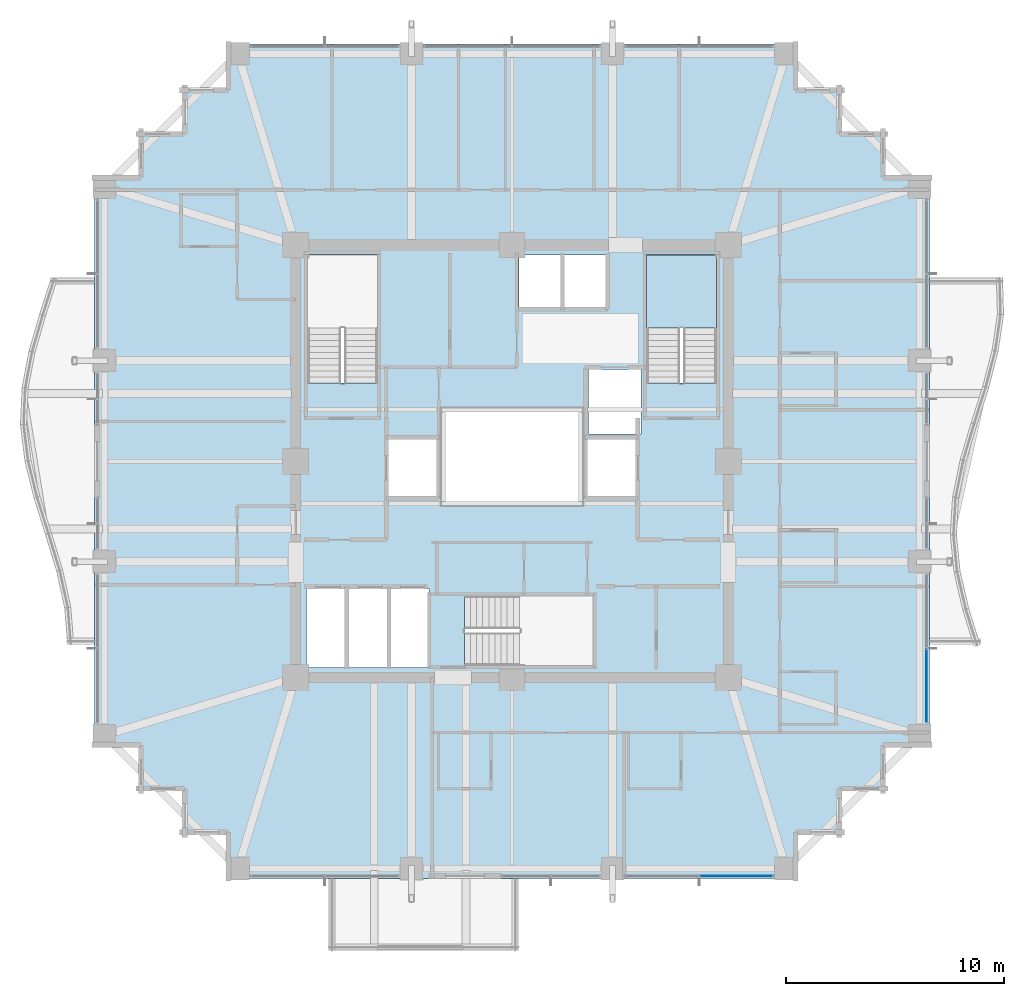
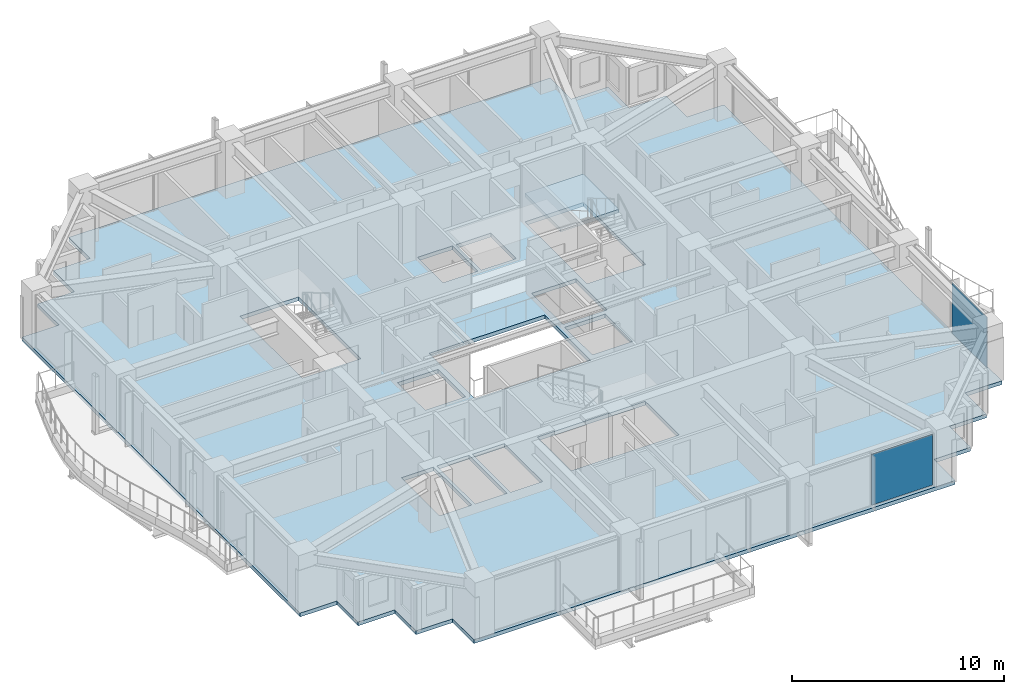
# One storey, part 28 of 38: 2 plates, 2 slabs, 3 elements without a shape of their own.
"""IFC4 building model written with IfcOpenShell, lengths in metres."""

from ifc_helpers import new_model, si_unit, direction, frame, origin, origin_2d, place, context, subcontext, project, spatial, polyline, rectangle, outline, extrude, material, layer, layer_set, type_object, element, aggregate, save


model = new_model("IFC4")

# Units and contexts
model_context = context("Model", 3, precision=1e-05, world=origin(), true_north=direction((0.0, 1.0)))
body_context = subcontext(model_context, "Body", "Model", "MODEL_VIEW")
ifc_project = project(units=[si_unit("LENGTHUNIT", "METRE"), si_unit("AREAUNIT", "SQUARE_METRE"), si_unit("VOLUMEUNIT", "CUBIC_METRE"), si_unit("PLANEANGLEUNIT", "RADIAN"), si_unit("MASSUNIT", "GRAM", prefix="KILO")], contexts=[model_context])

# Site, building, storey
site_placement = place(None, origin())
site = spatial("IfcSite", under=ifc_project, at=site_placement, CompositionType="ELEMENT")
building_placement = place(site_placement, origin())
building = spatial("IfcBuilding", under=site, at=building_placement, Name="Kolvaren Belvedere", CompositionType="ELEMENT")
storey_placement = place(building_placement, frame((0.0, 0.0, 121.699951171875)))
storey = spatial("IfcBuildingStorey", under=building, at=storey_placement, Name="L35", CompositionType="ELEMENT", Elevation=121.699951171875)

# Curtain wall, plate
ifc_material_1 = material(Name="Anodised pale-metal aluminium AA 6063-T6", Category="aluminium")
curtain_wall_type = type_object("IfcCurtainWallType", Name="CW-Z3-WAIST", PredefinedType="NOTDEFINED", material=ifc_material_1)
curtain_wall_1_placement = place(storey_placement, origin())
curtain_wall_1 = element("IfcCurtainWall", 1, at=curtain_wall_1_placement, inside=storey, type_object=curtain_wall_type, Name="L35 Unitised Curtain Wall FCW-L35-S1-B1", PredefinedType="NOTDEFINED")
ifc_material_2 = material(Name="Low-iron triple insulated glass", Category="glass")
ifc_layer_1 = layer(ifc_material_2, 0.028076171875)
ifc_layer_set_1 = layer_set([ifc_layer_1], Name="Low-iron triple insulated glass")
plate_type = type_object("IfcPlateType", Name="CW-PNL-VIS28", PredefinedType="CURTAIN_PANEL", material=ifc_layer_set_1)
plate_1_placement = place(storey_placement, frame((10.273681640625, -18.97998046875, 0.080078125), z_axis=(0.0, 0.0, 1.0), x_axis=(-1.0, 0.0, 0.0)))
plate_1 = element("IfcPlate", 2, at=plate_1_placement, type_object=plate_type, Name="FCW-L35-S1-B1 Vision Glazing Panel 1", PredefinedType="CURTAIN_PANEL", context=body_context, shape_type="SweptSolid", body=[
    extrude(rectangle(XDim=3.3173828125, YDim=0.028076171875, at=origin_2d()), origin(), (0.0, 0.0, 1.0), 2.919921875),
])
aggregate(curtain_wall_1, [plate_1])

curtain_wall_2_placement = place(storey_placement, origin())
curtain_wall_2 = element("IfcCurtainWall", 3, at=curtain_wall_2_placement, inside=storey, type_object=curtain_wall_type, Name="L35 Unitised Curtain Wall FCW-L35-E2-B2", PredefinedType="NOTDEFINED")
plate_2_placement = place(storey_placement, frame((18.97998046875, -10.273681640625, 0.080078125), z_axis=(0.0, 0.0, 1.0), x_axis=(0.0, -1.0, 0.0)))
plate_2 = element("IfcPlate", 4, at=plate_2_placement, type_object=plate_type, Name="FCW-L35-E2-B2 Vision Glazing Panel 2", PredefinedType="CURTAIN_PANEL", context=body_context, shape_type="SweptSolid", body=[
    extrude(rectangle(XDim=3.3173828125, YDim=0.028076171875, at=origin_2d()), origin(), (0.0, 0.0, 1.0), 2.919921875),
])
aggregate(curtain_wall_2, [plate_2])

# Slab
ifc_material_3 = material(Name="Concrete C50/60", Category="concrete")
ifc_layer_2 = layer(ifc_material_3, 0.219970703125)
ifc_layer_set_2 = layer_set([ifc_layer_2], Name="Concrete C50/60")
slab_type_1 = type_object("IfcSlabType", Name="SL-FLR-220", PredefinedType="FLOOR", material=ifc_layer_set_2)
slab_1_placement = place(storey_placement, frame((0.0, 0.0, -0.219970703125)))
element("IfcSlab", 5, at=slab_1_placement, inside=storey, type_object=slab_type_1, Name="L35 Primary Structural Slab", PredefinedType="FLOOR", context=body_context, shape_type="SweptSolid", body=[
    extrude(outline(polyline([(-13.10009765625, -19.10009765625), (13.10009765625, -19.10009765625), (13.10009765625, -17.10009765625), (15.10009765625, -17.10009765625), (15.10009765625, -15.10009765625), (17.10009765625, -15.10009765625), (17.10009765625, -13.10009765625), (19.10009765625, -13.10009765625), (19.10009765625, 13.10009765625), (17.10009765625, 13.10009765625), (17.10009765625, 15.10009765625), (15.10009765625, 15.10009765625), (15.10009765625, 17.10009765625), (13.10009765625, 17.10009765625), (13.10009765625, 19.10009765625), (-13.10009765625, 19.10009765625), (-13.10009765625, 17.10009765625), (-15.10009765625, 17.10009765625), (-15.10009765625, 15.10009765625), (-17.10009765625, 15.10009765625), (-17.10009765625, 13.10009765625), (-19.10009765625, 13.10009765625), (-19.10009765625, -13.10009765625), (-17.10009765625, -13.10009765625), (-17.10009765625, -15.10009765625), (-15.10009765625, -15.10009765625), (-15.10009765625, -17.10009765625), (-13.10009765625, -17.10009765625), (-13.10009765625, -19.10009765625)]), holes=[polyline([(-9.35009765625, 3.580078125), (-6.159912109375, 3.580078125), (-6.159912109375, 9.449951171875), (-9.35009765625, 9.449951171875), (-9.35009765625, 3.580078125)]), polyline([(6.159912109375, 3.580078125), (9.35009765625, 3.580078125), (9.35009765625, 9.449951171875), (6.159912109375, 9.449951171875), (6.159912109375, 3.580078125)]), polyline([(-2.169921875, -9.35009765625), (3.699951171875, -9.35009765625), (3.699951171875, -6.159912109375), (-2.169921875, -6.159912109375), (-2.169921875, -9.35009765625)]), polyline([(-5.64990234375, -1.60009765625), (-3.449951171875, -1.60009765625), (-3.449951171875, 1.0), (-5.64990234375, 1.0), (-5.64990234375, -1.60009765625)]), polyline([(3.5, 1.25), (5.89990234375, 1.25), (5.89990234375, 4.199951171875), (3.5, 4.199951171875), (3.5, 1.25)]), polyline([(3.449951171875, -1.60009765625), (5.64990234375, -1.60009765625), (5.64990234375, 1.0), (3.449951171875, 1.0), (3.449951171875, -1.60009765625)]), polyline([(-9.39990234375, -9.449951171875), (-7.64990234375, -9.449951171875), (-7.64990234375, -5.85009765625), (-9.39990234375, -5.85009765625), (-9.39990234375, -9.449951171875)]), polyline([(-7.469970703125, -9.449951171875), (-5.719970703125, -9.449951171875), (-5.719970703125, -5.85009765625), (-7.469970703125, -5.85009765625), (-7.469970703125, -9.449951171875)]), polyline([(-5.5400390625, -9.449951171875), (-3.7900390625, -9.449951171875), (-3.7900390625, -5.85009765625), (-5.5400390625, -5.85009765625), (-5.5400390625, -9.449951171875)]), polyline([(0.320068359375, 7.050048828125), (2.219970703125, 7.050048828125), (2.219970703125, 9.449951171875), (0.320068359375, 9.449951171875), (0.320068359375, 7.050048828125)]), polyline([(2.39990234375, 7.050048828125), (4.300048828125, 7.050048828125), (4.300048828125, 9.449951171875), (2.39990234375, 9.449951171875), (2.39990234375, 7.050048828125)]), polyline([(-3.14990234375, -1.949951171875), (3.14990234375, -1.949951171875), (3.14990234375, 2.35009765625), (-3.14990234375, 2.35009765625), (-3.14990234375, -1.949951171875)])]), origin(), (0.0, 0.0, 1.0), 0.219970703125),
])

# Stair, slab
ifc_material_4 = material(Name="Concrete C50/60", Category="concrete")
stair_type = type_object("IfcStairType", Name="ST-CORE-1520", PredefinedType="HALF_TURN_STAIR", material=ifc_material_4)
stair_placement = place(storey_placement, origin())
stair = element("IfcStair", 6, at=stair_placement, inside=storey, type_object=stair_type, Name="L35 Protected Exit Stair ST-2", PredefinedType="HALF_TURN_STAIR")
ifc_material_5 = material(Name="Concrete C50/60", Category="concrete")
ifc_layer_3 = layer(ifc_material_5, 0.260009765625)
ifc_layer_set_3 = layer_set([ifc_layer_3], Name="Concrete C50/60")
slab_type_2 = type_object("IfcSlabType", Name="SL-LAND-260", PredefinedType="LANDING", material=ifc_layer_set_3)
slab_2_placement = place(storey_placement, frame((0.0, 0.0, 1.449951171875)))
slab_2 = element("IfcSlab", 7, at=slab_2_placement, type_object=slab_type_2, Name="ST-2 landing 1", PredefinedType="LANDING", context=body_context, shape_type="SweptSolid", body=[
    extrude(outline(polyline([(9.35009765625, 6.090087890625), (9.35009765625, 9.449951171875), (6.159912109375, 9.449951171875), (6.159912109375, 6.090087890625), (9.35009765625, 6.090087890625)])), origin(), (0.0, 0.0, 1.0), 0.2001953125),
])
aggregate(stair, [slab_2])

save(model, "model.ifc")
